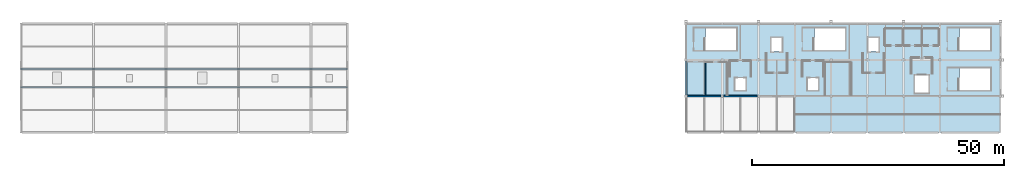
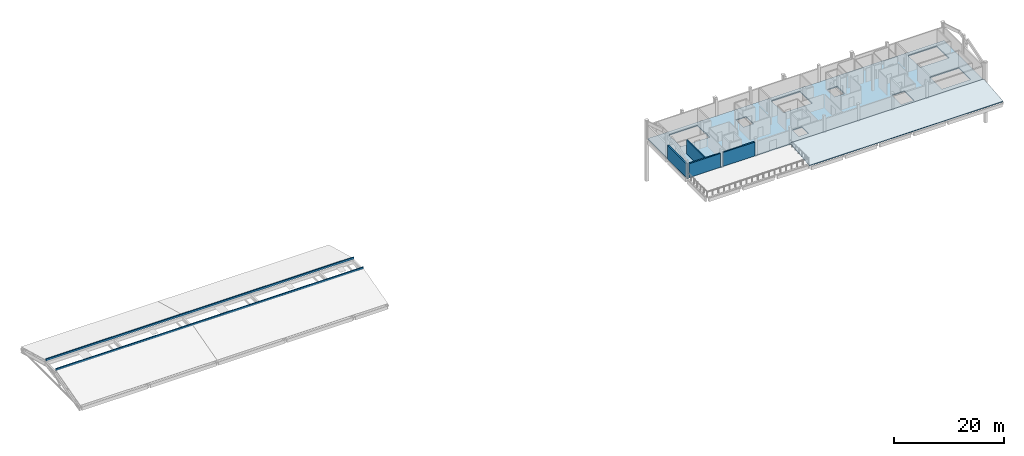
# One storey, part 4 of 8: 6 walls, 2 slabs.
"""IFC4 building model written with IfcOpenShell, lengths in metres."""

import ifcopenshell
import ifcopenshell.guid

model = None  # the IFC model being written
_history = None  # IfcOwnerHistory: only IFC2X3 demands one
_inside = {}  # id of a spatial element -> (the spatial element, [elements in it])
_under = {}  # id of a project, library or spatial element -> (it, [spatial elements below it])
_declared = {}  # id of a project -> (the project, [libraries it declares])
_typed = {}  # id of a type object -> (the type object, [elements of that type])
_made_of = {}  # id of a material, layer set ... -> (it, [elements and type objects made of it])


def new_model(schema):
    """Start an empty IFC model of exactly this schema.

    Asked for "IFC4X3", IfcOpenShell would pick the latest addendum, in which some entities
    have other attributes; the version numbers below select the first issue.
    IFC2X3 requires an IfcOwnerHistory on every rooted entity: one is made here for all.
    """
    global model, _history
    if schema == "IFC4X3":
        model = ifcopenshell.file(schema_version=(4, 3, 0, 0))
    else:
        model = ifcopenshell.file(schema=schema)
    _inside.clear()
    _under.clear()
    _declared.clear()
    _typed.clear()
    _made_of.clear()
    _history = None
    if model.schema == "IFC2X3":
        org = make("IfcOrganization", Name="unknown")
        user = make(
            "IfcPersonAndOrganization",
            ThePerson=make("IfcPerson", FamilyName="unknown"),
            TheOrganization=org,
        )
        app = make(
            "IfcApplication",
            ApplicationDeveloper=org,
            Version="unknown",
            ApplicationFullName="unknown",
            ApplicationIdentifier="unknown",
        )
        _history = make(
            "IfcOwnerHistory",
            OwningUser=user,
            OwningApplication=app,
            ChangeAction="ADDED",
            CreationDate=0,
        )
    return model


def make(cls, **values):
    """One entity of the class cls with the attributes given. An attribute that is None is left unset."""
    return model.create_entity(
        cls, **{name: value for name, value in values.items() if value is not None}
    )


def rooted(cls, **values):
    """An entity with a GlobalId (a new one), such as an element, a storey or a relation."""
    return make(cls, GlobalId=ifcopenshell.guid.new(), OwnerHistory=_history, **values)


def si_unit(unit_type, name, prefix=None):
    """IfcSIUnit, for example si_unit("LENGTHUNIT", "METRE", prefix="MILLI")."""
    return make("IfcSIUnit", UnitType=unit_type, Prefix=prefix, Name=name)


def assignment(units):
    """IfcUnitAssignment: the units of a project."""
    return None if units is None else make("IfcUnitAssignment", Units=units)


def point(xyz):
    """IfcCartesianPoint."""
    return None if xyz is None else make("IfcCartesianPoint", Coordinates=xyz)


def direction(xyz):
    """IfcDirection."""
    return None if xyz is None else make("IfcDirection", DirectionRatios=xyz)


def frame(location, z_axis=None, x_axis=None):
    """IfcAxis2Placement3D, a coordinate frame: its origin and axes. An axis left out is left unset."""
    return make(
        "IfcAxis2Placement3D",
        Location=point(location),
        Axis=direction(z_axis),
        RefDirection=direction(x_axis),
    )


def frame_2d(location, x_axis=None):
    """IfcAxis2Placement2D, a coordinate frame in the plane: its origin and x axis."""
    return make(
        "IfcAxis2Placement2D", Location=point(location), RefDirection=direction(x_axis)
    )


def origin():
    """The frame at (0, 0, 0) with its axes left unset."""
    return frame((0.0, 0.0, 0.0))


def place(relative_to, where):
    """IfcLocalPlacement: puts the frame where relative to a parent placement (None: the world)."""
    return make(
        "IfcLocalPlacement", PlacementRelTo=relative_to, RelativePlacement=where
    )


def context(
    kind, dimensions, precision=None, world=None, true_north=None, identifier=None
):
    """IfcGeometricRepresentationContext, for example the 3D "Model" context."""
    return make(
        "IfcGeometricRepresentationContext",
        ContextIdentifier=identifier,
        ContextType=kind,
        CoordinateSpaceDimension=dimensions,
        Precision=precision,
        WorldCoordinateSystem=world,
        TrueNorth=true_north,
    )


def subcontext(parent, identifier, kind, view, scale=None):
    """IfcGeometricRepresentationSubContext, for example "Body" below "Model"."""
    return make(
        "IfcGeometricRepresentationSubContext",
        ContextIdentifier=identifier,
        ContextType=kind,
        ParentContext=parent,
        TargetScale=scale,
        TargetView=view,
    )


def project(units=None, contexts=None):
    """IfcProject with its units and contexts."""
    return rooted(
        "IfcProject",
        Name="project",
        RepresentationContexts=contexts,
        UnitsInContext=assignment(units),
    )


def spatial(cls, under=None, at=None, **own):
    """A site, building, storey or space (cls), placed at a placement, below another one or the project."""
    s = rooted(cls, ObjectPlacement=at, **own)
    if under is not None:
        _under.setdefault(under.id(), (under, []))[1].append(s)
    return s


def polyline(points):
    """IfcPolyline through the points."""
    return make("IfcPolyline", Points=[point(p) for p in points])


def profile(cls, at=None, kind="AREA", **sizes):
    """A parametric profile (cls). Its sizes go by their IFC names, for example OverallWidth=200.0."""
    return make(cls, ProfileType=kind, Position=at, **sizes)


def rectangle(**sizes):
    """IfcRectangleProfileDef."""
    return profile("IfcRectangleProfileDef", **sizes)


def outline(outer, holes=None, kind="AREA"):
    """IfcArbitraryClosedProfileDef: a profile drawn as a closed curve; with holes, ...WithVoids."""
    if holes is None:
        return make("IfcArbitraryClosedProfileDef", ProfileType=kind, OuterCurve=outer)
    return make(
        "IfcArbitraryProfileDefWithVoids",
        ProfileType=kind,
        OuterCurve=outer,
        InnerCurves=holes,
    )


def extrude(swept, where, along, depth):
    """IfcExtrudedAreaSolid: the profile swept, set in the frame where, extruded along a direction by depth."""
    return make(
        "IfcExtrudedAreaSolid",
        SweptArea=swept,
        Position=where,
        ExtrudedDirection=direction(along),
        Depth=depth,
    )


def shape(context_of_items, identifier, shape_type, items):
    """IfcShapeRepresentation: the items that make up one representation, for example the "Body"."""
    return make(
        "IfcShapeRepresentation",
        ContextOfItems=context_of_items,
        RepresentationIdentifier=identifier,
        RepresentationType=shape_type,
        Items=items,
    )


def material(Name=None, Category=None):
    """IfcMaterial."""
    return make("IfcMaterial", Name=Name, Category=Category)


def layer(
    of_material, thickness, ventilated=None, Name=None, Category=None, Priority=None
):
    """IfcMaterialLayer: one layer of a wall or slab, of a material (None: an air gap)."""
    return make(
        "IfcMaterialLayer",
        Material=of_material,
        LayerThickness=thickness,
        IsVentilated=ventilated,
        Name=Name,
        Category=Category,
        Priority=Priority,
    )


def layer_set(layers, Name=None):
    """IfcMaterialLayerSet."""
    return make("IfcMaterialLayerSet", MaterialLayers=layers, LayerSetName=Name)


def made_of(thing, what):
    """Note that an element or type object is made of a material, layer set ...; save() writes the relation."""
    if what is not None:
        _made_of.setdefault(what.id(), (what, []))[1].append(thing)
    return thing


def type_object(cls, material=None, **own):
    """A type object (cls), such as IfcWallType, which elements share."""
    return made_of(rooted(cls, **own), material)


def element(
    cls,
    number,
    at=None,
    inside=None,
    cuts=None,
    type_object=None,
    material=None,
    context=None,
    identifier="Body",
    shape_type=None,
    held_by="IfcProductDefinitionShape",
    body=None,
    shapes=None,
    **own,
):
    """One element of the class cls, such as IfcWall. Its Tag is "e" and its number.

    at: its placement. inside: the storey or other place that contains it. cuts: it is an
    opening in that element (IfcRelVoidsElement). A single representation is given by context,
    identifier, shape_type and body (its items); several are given by shapes. held_by: the class
    of the entity that holds the representations. save() writes the other relations.
    """
    e = rooted(cls, Tag="e%d" % number, ObjectPlacement=at, **own)
    if body is not None:
        shapes = [shape(context, identifier, shape_type, body)]
    if shapes is not None:
        e.Representation = make(held_by, Representations=shapes)
    if inside is not None:
        _inside.setdefault(inside.id(), (inside, []))[1].append(e)
    if cuts is not None:
        rooted(
            "IfcRelVoidsElement", RelatingBuildingElement=cuts, RelatedOpeningElement=e
        )
    if type_object is not None:
        _typed.setdefault(type_object.id(), (type_object, []))[1].append(e)
    return made_of(e, material)


def aggregate(whole, parts):
    """IfcRelAggregates: a whole, such as a stair, and the parts it consists of."""
    return rooted("IfcRelAggregates", RelatingObject=whole, RelatedObjects=parts)


def save(model, path):
    """Write the relations noted so far, then the file.

    IfcRelAggregates (storeys below a building ...), IfcRelContainedInSpatialStructure (elements
    in a storey), IfcRelDefinesByType, IfcRelAssociatesMaterial and IfcRelDeclares: one each for
    every whole, place, type object, material and project.
    """
    for whole, parts in _under.values():
        aggregate(whole, parts)
    for where, things in _inside.values():
        rooted(
            "IfcRelContainedInSpatialStructure",
            RelatedElements=things,
            RelatingStructure=where,
        )
    for kind, things in _typed.values():
        rooted("IfcRelDefinesByType", RelatedObjects=things, RelatingType=kind)
    for what, things in _made_of.values():
        rooted("IfcRelAssociatesMaterial", RelatedObjects=things, RelatingMaterial=what)
    for by, libraries in _declared.values():
        rooted("IfcRelDeclares", RelatingContext=by, RelatedDefinitions=libraries)
    model.write(path)


model = new_model("IFC4")

# Units and contexts
model_context = context("Model", 3, precision=1e-05, world=origin(), true_north=direction((0.0, 1.0)))
body_context = subcontext(model_context, "Body", "Model", "MODEL_VIEW")
ifc_project = project(units=[si_unit("LENGTHUNIT", "METRE"), si_unit("AREAUNIT", "SQUARE_METRE"), si_unit("VOLUMEUNIT", "CUBIC_METRE"), si_unit("PLANEANGLEUNIT", "RADIAN"), si_unit("MASSUNIT", "GRAM", prefix="KILO")], contexts=[model_context])

# Site, building, storey
site_placement = place(None, origin())
site = spatial("IfcSite", under=ifc_project, at=site_placement, CompositionType="ELEMENT")
building_placement = place(site_placement, origin())
building = spatial("IfcBuilding", under=site, at=building_placement, Name="Cendralis Lancet Convention Centre", CompositionType="ELEMENT")
storey_placement = place(building_placement, frame((0.0, 0.0, 24.60009765625)))
storey = spatial("IfcBuildingStorey", under=building, at=storey_placement, Name="L05", CompositionType="ELEMENT", Elevation=24.60009765625)

# Slabs
ifc_material_1 = material(Name="Concrete G35 (C35/45)", Category="concrete")
ifc_layer_1 = layer(ifc_material_1, 0.239990234375, Name="Concrete G35 (C35/45)")
ifc_layer_set_1 = layer_set([ifc_layer_1], Name="Concrete G35 (C35/45)")
slab_type_1 = type_object("IfcSlabType", Name="STR-SL-FS24", PredefinedType="FLOOR", material=ifc_layer_set_1)
slab_1_placement = place(storey_placement, frame((0.0, 0.0, -0.239990234375)))
element("IfcSlab", 1, at=slab_1_placement, inside=storey, type_object=slab_type_1, Name="L05 V5 Floor Slab FS-240", PredefinedType="FLOOR", context=body_context, shape_type="SweptSolid", body=[
    extrude(outline(polyline([(146.39990234375, 21.60009765625), (208.800048828125, 21.60009765625), (208.800048828125, 36.0), (146.39990234375, 36.0), (146.39990234375, 21.60009765625)]), holes=[polyline([(150.31005859375, 30.75), (156.39990234375, 30.75), (156.39990234375, 35.1298828125), (150.31005859375, 35.1298828125), (150.31005859375, 30.75)]), polyline([(171.909912109375, 30.75), (178.0, 30.75), (178.0, 35.1298828125), (171.909912109375, 35.1298828125), (171.909912109375, 30.75)]), polyline([(200.7099609375, 22.800048828125), (206.800048828125, 22.800048828125), (206.800048828125, 27.179931640625), (200.7099609375, 27.179931640625), (200.7099609375, 22.800048828125)]), polyline([(200.7099609375, 30.75), (206.800048828125, 30.75), (206.800048828125, 35.1298828125), (200.7099609375, 35.1298828125), (200.7099609375, 30.75)]), polyline([(163.35009765625, 30.449951171875), (165.449951171875, 30.449951171875), (165.449951171875, 33.14990234375), (163.35009765625, 33.14990234375), (163.35009765625, 30.449951171875)]), polyline([(182.550048828125, 30.449951171875), (184.64990234375, 30.449951171875), (184.64990234375, 33.14990234375), (182.550048828125, 33.14990234375), (182.550048828125, 30.449951171875)]), polyline([(156.14990234375, 22.800048828125), (158.25, 22.800048828125), (158.25, 25.199951171875), (156.14990234375, 25.199951171875), (156.14990234375, 22.800048828125)]), polyline([(170.550048828125, 22.800048828125), (172.64990234375, 22.800048828125), (172.64990234375, 25.199951171875), (170.550048828125, 25.199951171875), (170.550048828125, 22.800048828125)]), polyline([(191.85009765625, 22.25), (194.550048828125, 22.25), (194.550048828125, 25.75), (191.85009765625, 25.75), (191.85009765625, 22.25)])]), origin(), (0.0, 0.0, 1.0), 0.239990234375),
])
ifc_material_2 = material(Name="Steel S355", Category="steel")
ifc_layer_2 = layer(ifc_material_2, 0.139892578125, Name="Steel S355")
ifc_layer_set_2 = layer_set([ifc_layer_2], Name="Steel S355")
slab_type_2 = type_object("IfcSlabType", Name="STR-SL-ZR14", PredefinedType="ROOF", material=ifc_layer_set_2)
slab_2_placement = place(storey_placement, frame((168.0, 14.39990234375, -0.44140625), z_axis=(0.0, -0.090394904952, 0.995906000162), x_axis=(1.0, 0.0, 0.0)))
element("IfcSlab", 2, at=slab_2_placement, inside=storey, type_object=slab_type_2, Name="Dining Wing Pitched Apron Roof Slab", PredefinedType="ROOF", context=body_context, shape_type="SweptSolid", body=[
    extrude(outline(polyline([(0.0, 0.0), (40.800048828125, 0.0), (40.800048828125, 7.189590432063971), (0.0, 7.189590432063971), (0.0, 0.0)])), origin(), (0.0, 0.0, -1.0), 0.139892578125),
])

# Walls
ifc_material_3 = material(Name="Buff sandstone ashlar and Concrete G40 (C40/50)", Category="masonry")
ifc_layer_3 = layer(ifc_material_3, 0.219970703125, Name="Buff sandstone ashlar and Concrete G40 (C40/50)")
ifc_layer_set_3 = layer_set([ifc_layer_3], Name="Buff sandstone ashlar and Concrete G40 (C40/50)")
wall_type_1 = type_object("IfcWallType", Name="ARC-EW-P220", PredefinedType="PARAPET", material=ifc_layer_set_3)
for number, where, z_axis, x_axis, name in (
    (3, (14.39990234375, 23.39990234375, 2.199951171875), (0.0, 0.0, 1.0), (1.0, 0.0, 0.0), "L05 Roof Parapet Wall PR-01 #005"),
    (4, (14.39990234375, 27.0, 2.199951171875), (0.0, 0.0, 1.0), (1.0, 0.0, 0.0), "L05 Roof Parapet Wall PR-01 #006"),
):
    element("IfcWall", number, at=place(storey_placement, frame(where, z_axis=z_axis, x_axis=x_axis)), inside=storey, type_object=wall_type_1, Name=name, PredefinedType="PARAPET", context=body_context, shape_type="SweptSolid", body=[
        extrude(rectangle(XDim=64.800048828125, YDim=0.219970703125, at=frame_2d((32.39990234375, 0.0))), origin(), (0.0, 0.0, 1.0), 0.419921875),
    ])
ifc_layer_4 = layer(ifc_material_3, 0.300048828125, Name="Buff sandstone ashlar and Concrete G40 (C40/50)")
ifc_layer_set_4 = layer_set([ifc_layer_4], Name="Buff sandstone ashlar and Concrete G40 (C40/50)")
wall_type_2 = type_object("IfcWallType", Name="ARC-EW-W300", PredefinedType="STANDARD", material=ifc_layer_set_4)
for number, where, z_axis, x_axis, name in (
    (5, (153.342041015625, 21.60009765625, 0.0), (0.0, 0.0, 1.0), (-1.0, 0.0, 0.0), "L05 V5 Exterior Wall EW-07 #0322"),
    (6, (160.5419921875, 21.60009765625, 0.0), (0.0, 0.0, 1.0), (-1.0, 0.0, 0.0), "L05 V5 Exterior Wall EW-07 #0326"),
    (7, (146.39990234375, 21.85791015625, 0.0), (0.0, 0.0, 1.0), (0.0, 1.0, 0.0), "L05 V5 Exterior Wall EW-07 #0358"),
):
    element("IfcWall", number, at=place(storey_placement, frame(where, z_axis=z_axis, x_axis=x_axis)), inside=storey, type_object=wall_type_2, Name=name, PredefinedType="STANDARD", context=body_context, shape_type="SweptSolid", body=[
        extrude(rectangle(XDim=6.68408203125, YDim=0.300048828125, at=frame_2d((3.342041015625, 0.0))), origin(), (0.0, 0.0, 1.0), 3.0849609375),
    ])
ifc_material_4 = material(Name="Acoustic fire-rated gypsum board on steel studs", Category="steel")
ifc_layer_5 = layer(ifc_material_4, 0.2099609375, Name="Acoustic fire-rated gypsum board on steel studs")
ifc_layer_set_5 = layer_set([ifc_layer_5], Name="Acoustic fire-rated gypsum board on steel studs")
wall_type_3 = type_object("IfcWallType", Name="ARC-IW-P210", PredefinedType="PARTITIONING", material=ifc_layer_set_5)
wall_placement = place(storey_placement, frame((150.199951171875, 21.760009765625, 0.0), z_axis=(0.0, 0.0, 1.0), x_axis=(0.0, 1.0, 0.0)))
element("IfcWall", 8, at=wall_placement, inside=storey, type_object=wall_type_3, Name="L05 Interior Partition IW-01 #0445", PredefinedType="PARTITIONING", context=body_context, shape_type="SweptSolid", body=[
    extrude(rectangle(XDim=6.5, YDim=0.2099609375, at=frame_2d((3.25, 0.0))), origin(), (0.0, 0.0, 1.0), 3.135009765625),
])

save(model, "model.ifc")
